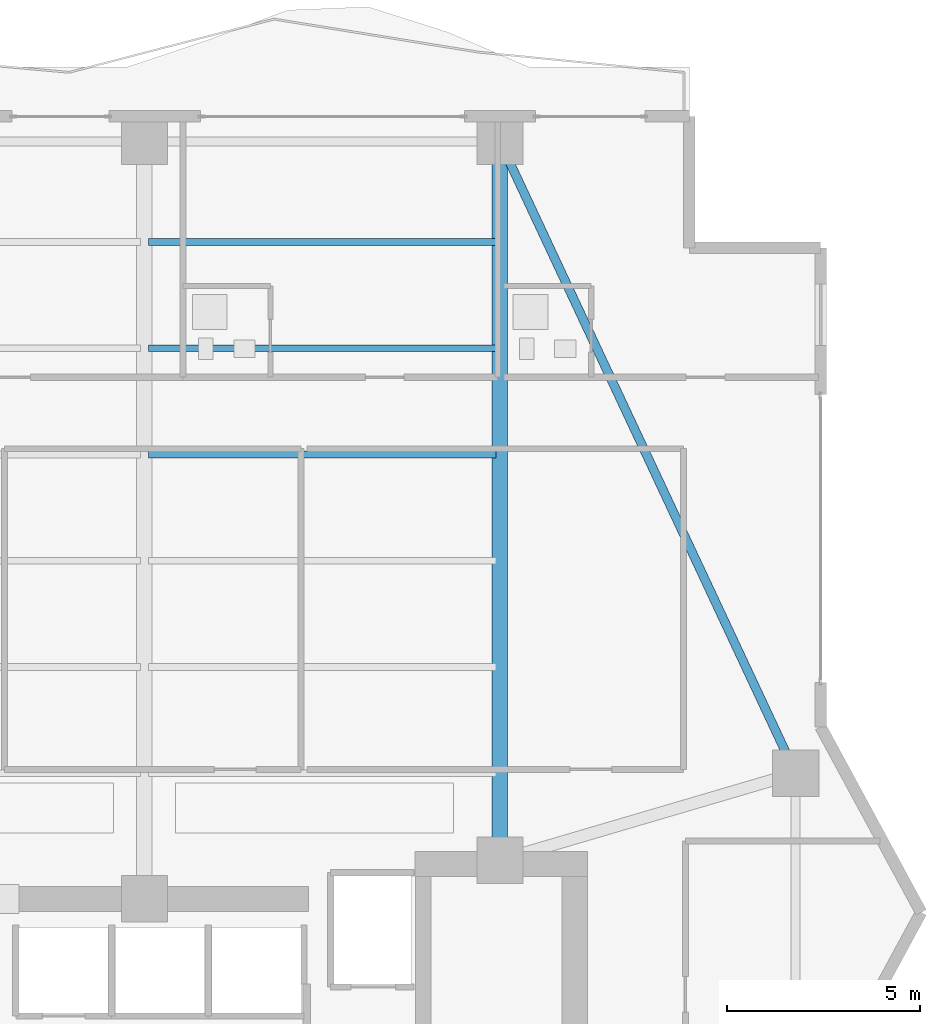
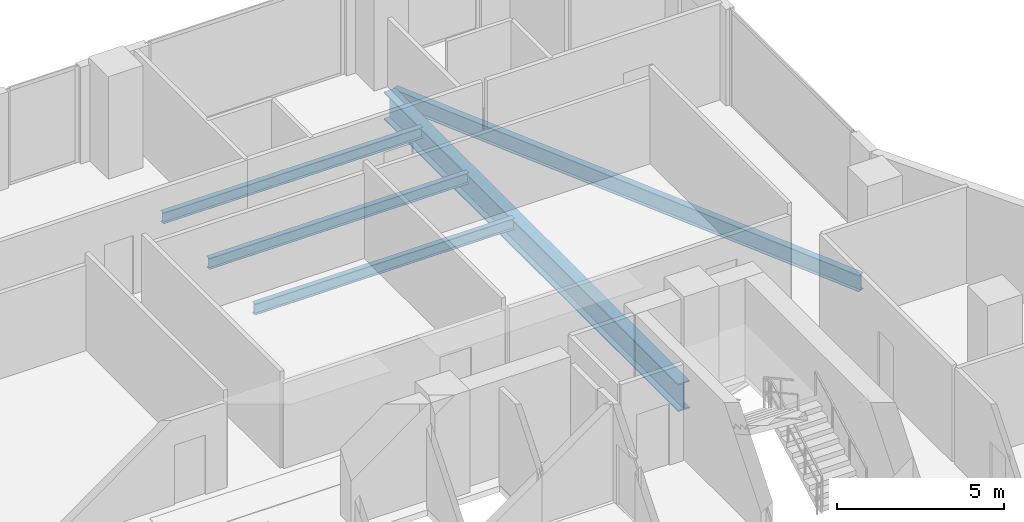
# One storey, part 20 of 32: 5 beams.
"""IFC4 building model written with IfcOpenShell, lengths in metres."""

from ifc_helpers import new_model, si_unit, direction, frame, origin, origin_2d, place, context, subcontext, project, spatial, i_section, extrude, material, material_profile, profile_set, type_object, element, save


model = new_model("IFC4")

# Units and contexts
model_context = context("Model", 3, precision=1e-05, world=origin(), true_north=direction((0.0, 1.0)))
body_context = subcontext(model_context, "Body", "Model", "MODEL_VIEW")
ifc_project = project(units=[si_unit("LENGTHUNIT", "METRE"), si_unit("AREAUNIT", "SQUARE_METRE"), si_unit("VOLUMEUNIT", "CUBIC_METRE"), si_unit("PLANEANGLEUNIT", "RADIAN"), si_unit("MASSUNIT", "GRAM", prefix="KILO")], contexts=[model_context])

# Site, building, storey
site_placement = place(None, origin())
site = spatial("IfcSite", under=ifc_project, at=site_placement, CompositionType="ELEMENT")
building_placement = place(site_placement, origin())
building = spatial("IfcBuilding", under=site, at=building_placement, Name="Zuhayl Quay Hotel", CompositionType="ELEMENT")
storey_placement = place(building_placement, frame((0.0, 0.0, 188.64990234375)))
storey = spatial("IfcBuildingStorey", under=building, at=storey_placement, Name="L47", CompositionType="ELEMENT", Elevation=188.64990234375)

# Beams
ifc_material = material(Name="Steel ASTM A992 Grade 50", Category="steel")
ifc_material_profile_1 = material_profile(ifc_material, i_section(OverallWidth=0.22802734375, OverallDepth=0.60693359375, WebThickness=0.01123046875, FlangeThickness=0.017333984375, at=origin_2d()), Name="W24X76")
ifc_profile_set_1 = profile_set([ifc_material_profile_1], Name="Steel ASTM A992 Grade 50")
beam_type_1 = type_object("IfcBeamType", Name="BM_B3_W24X76", PredefinedType="BEAM", material=ifc_profile_set_1)
beam_1_placement = place(storey_placement, frame((21.238037109375, 17.052978515625, -0.5234375), z_axis=(-0.423792164429, 0.905759461098, 0.0), x_axis=(-0.905759461098, -0.423792164429, 0.0)))
element("IfcBeam", 1, at=beam_1_placement, inside=storey, type_object=beam_type_1, Name="L47 Floor Beam RG_L47_06", PredefinedType="BEAM", context=body_context, shape_type="SweptSolid", body=[
    extrude(i_section(OverallWidth=0.22802734375, OverallDepth=0.60693359375, WebThickness=0.01123046875, FlangeThickness=0.017333984375, at=origin_2d()), origin(), (0.0, 0.0, 1.0), 17.051025390625),
])
ifc_material_profile_2 = material_profile(ifc_material, i_section(OverallWidth=0.177978515625, OverallDepth=0.406005859375, WebThickness=0.0078125, FlangeThickness=0.0126953125, at=origin_2d()), Name="W16X40")
ifc_profile_set_2 = profile_set([ifc_material_profile_2], Name="Steel ASTM A992 Grade 50")
beam_type_2 = type_object("IfcBeamType", Name="BM_J2B_W16X40", PredefinedType="JOIST", material=ifc_profile_set_2)
for number, where, z_axis, x_axis, name in (
    (2, (4.7060546875, 24.85009765625, -0.4228515625), (1.0, 0.0, 0.0), (0.0, 1.0, 0.0), "L47 Floor Beam FJ_L47_4_3"),
    (3, (4.7060546875, 27.60009765625, -0.4228515625), (1.0, 0.0, 0.0), (0.0, 1.0, 0.0), "L47 Floor Beam FJ_L47_5_3"),
    (4, (4.7060546875, 30.35009765625, -0.4228515625), (1.0, 0.0, 0.0), (0.0, 1.0, 0.0), "L47 Floor Beam FJ_L47_6_3"),
):
    element("IfcBeam", number, at=place(storey_placement, frame(where, z_axis=z_axis, x_axis=x_axis)), inside=storey, type_object=beam_type_2, Name=name, PredefinedType="JOIST", context=body_context, shape_type="SweptSolid", body=[
        extrude(i_section(OverallWidth=0.177978515625, OverallDepth=0.406005859375, WebThickness=0.0078125, FlangeThickness=0.0126953125, at=origin_2d()), origin(), (0.0, 0.0, 1.0), 8.988037109375),
    ])
ifc_material_profile_3 = material_profile(ifc_material, i_section(OverallWidth=0.40087890625, OverallDepth=1.010986328125, WebThickness=0.023681640625, FlangeThickness=0.0419921875, at=origin_2d()), Name="W40X297")
ifc_profile_set_3 = profile_set([ifc_material_profile_3], Name="Steel ASTM A992 Grade 50")
beam_type_3 = type_object("IfcBeamType", Name="BM_TG2_W40X297", PredefinedType="BEAM", material=ifc_profile_set_3)
beam_2_placement = place(storey_placement, frame((13.800048828125, 14.800048828125, -0.725341796875), z_axis=(0.0, 1.0, 0.0), x_axis=(-1.0, 0.0, 0.0)))
element("IfcBeam", 5, at=beam_2_placement, inside=storey, type_object=beam_type_3, Name="L47 Floor Beam FG_N_L47_4", PredefinedType="BEAM", context=body_context, shape_type="SweptSolid", body=[
    extrude(i_section(OverallWidth=0.40087890625, OverallDepth=1.010986328125, WebThickness=0.023681640625, FlangeThickness=0.0419921875, at=origin_2d()), origin(), (0.0, 0.0, 1.0), 17.64990234375),
])

save(model, "model.ifc")
